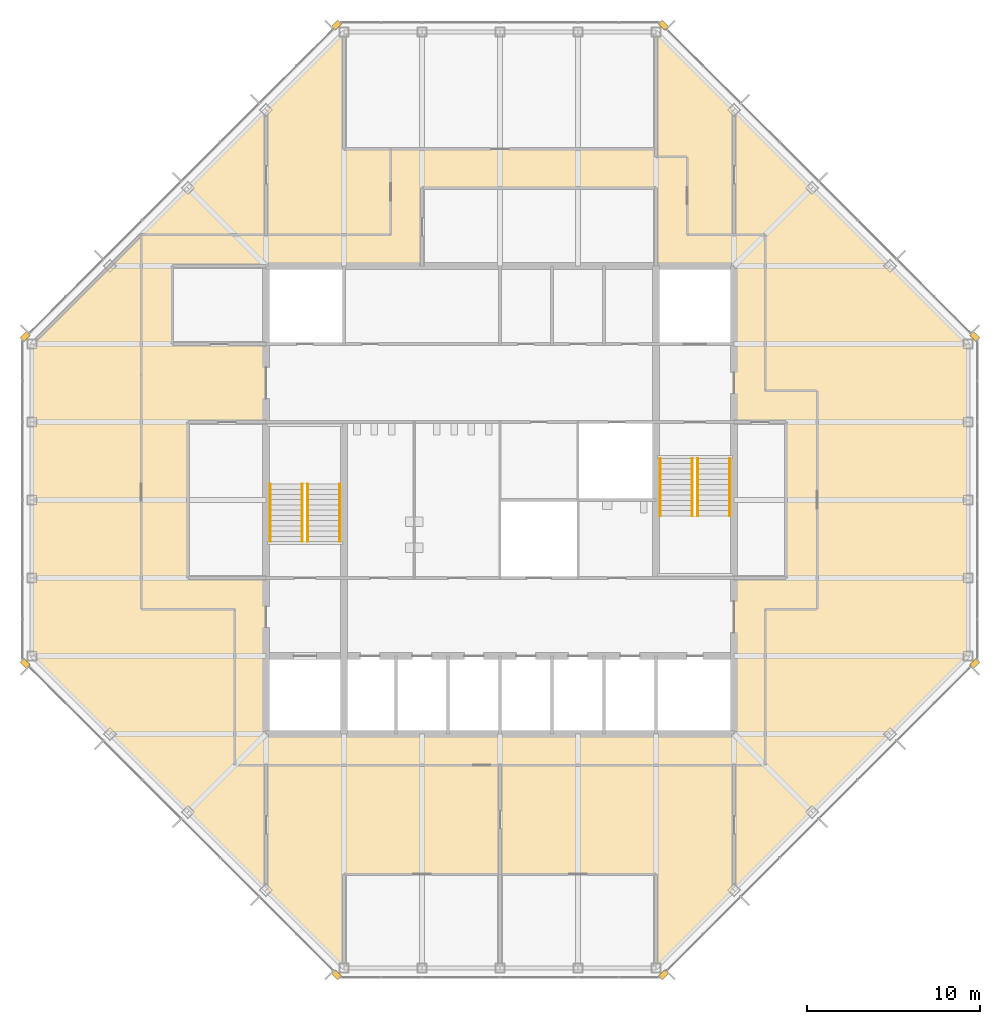
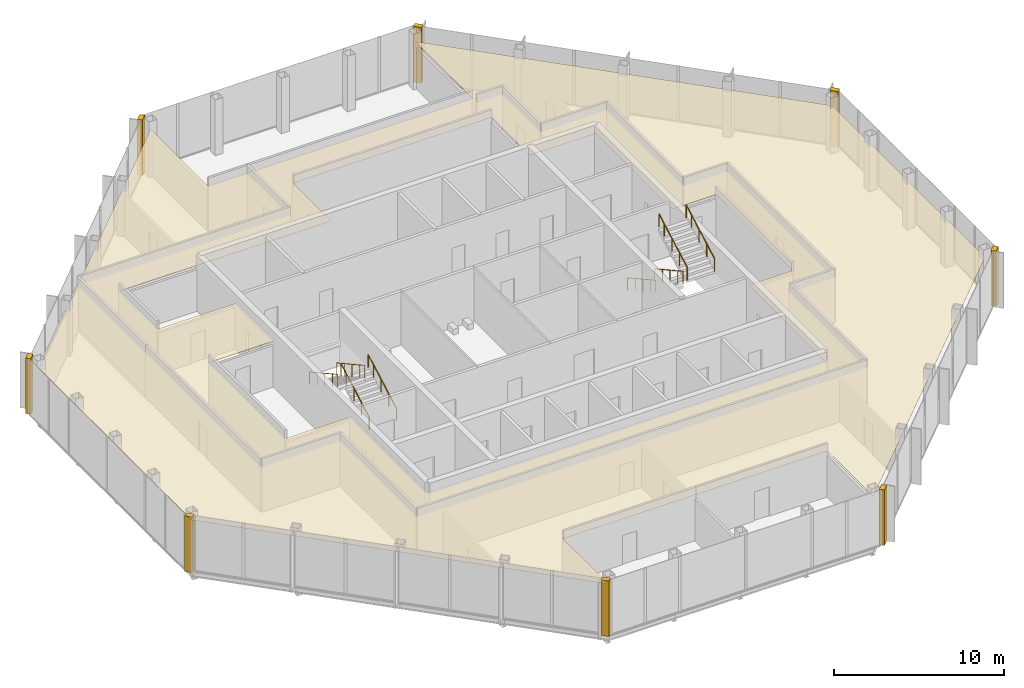
# One storey, part 12 of 13: 9 coverings, 8 railings.
"""IFC4 building model written with IfcOpenShell, lengths in metres."""

import ifcopenshell
import ifcopenshell.guid

model = None  # the IFC model being written
_history = None  # IfcOwnerHistory: only IFC2X3 demands one
_inside = {}  # id of a spatial element -> (the spatial element, [elements in it])
_under = {}  # id of a project, library or spatial element -> (it, [spatial elements below it])
_declared = {}  # id of a project -> (the project, [libraries it declares])
_typed = {}  # id of a type object -> (the type object, [elements of that type])
_made_of = {}  # id of a material, layer set ... -> (it, [elements and type objects made of it])


def new_model(schema):
    """Start an empty IFC model of exactly this schema.

    Asked for "IFC4X3", IfcOpenShell would pick the latest addendum, in which some entities
    have other attributes; the version numbers below select the first issue.
    IFC2X3 requires an IfcOwnerHistory on every rooted entity: one is made here for all.
    """
    global model, _history
    if schema == "IFC4X3":
        model = ifcopenshell.file(schema_version=(4, 3, 0, 0))
    else:
        model = ifcopenshell.file(schema=schema)
    _inside.clear()
    _under.clear()
    _declared.clear()
    _typed.clear()
    _made_of.clear()
    _history = None
    if model.schema == "IFC2X3":
        org = make("IfcOrganization", Name="unknown")
        user = make(
            "IfcPersonAndOrganization",
            ThePerson=make("IfcPerson", FamilyName="unknown"),
            TheOrganization=org,
        )
        app = make(
            "IfcApplication",
            ApplicationDeveloper=org,
            Version="unknown",
            ApplicationFullName="unknown",
            ApplicationIdentifier="unknown",
        )
        _history = make(
            "IfcOwnerHistory",
            OwningUser=user,
            OwningApplication=app,
            ChangeAction="ADDED",
            CreationDate=0,
        )
    return model


def make(cls, **values):
    """One entity of the class cls with the attributes given. An attribute that is None is left unset."""
    return model.create_entity(
        cls, **{name: value for name, value in values.items() if value is not None}
    )


def rooted(cls, **values):
    """An entity with a GlobalId (a new one), such as an element, a storey or a relation."""
    return make(cls, GlobalId=ifcopenshell.guid.new(), OwnerHistory=_history, **values)


def si_unit(unit_type, name, prefix=None):
    """IfcSIUnit, for example si_unit("LENGTHUNIT", "METRE", prefix="MILLI")."""
    return make("IfcSIUnit", UnitType=unit_type, Prefix=prefix, Name=name)


def assignment(units):
    """IfcUnitAssignment: the units of a project."""
    return None if units is None else make("IfcUnitAssignment", Units=units)


def point(xyz):
    """IfcCartesianPoint."""
    return None if xyz is None else make("IfcCartesianPoint", Coordinates=xyz)


def direction(xyz):
    """IfcDirection."""
    return None if xyz is None else make("IfcDirection", DirectionRatios=xyz)


def frame(location, z_axis=None, x_axis=None):
    """IfcAxis2Placement3D, a coordinate frame: its origin and axes. An axis left out is left unset."""
    return make(
        "IfcAxis2Placement3D",
        Location=point(location),
        Axis=direction(z_axis),
        RefDirection=direction(x_axis),
    )


def frame_2d(location, x_axis=None):
    """IfcAxis2Placement2D, a coordinate frame in the plane: its origin and x axis."""
    return make(
        "IfcAxis2Placement2D", Location=point(location), RefDirection=direction(x_axis)
    )


def origin():
    """The frame at (0, 0, 0) with its axes left unset."""
    return frame((0.0, 0.0, 0.0))


def origin_2d():
    """The frame at (0, 0) in the plane with its x axis left unset."""
    return frame_2d((0.0, 0.0))


def place(relative_to, where):
    """IfcLocalPlacement: puts the frame where relative to a parent placement (None: the world)."""
    return make(
        "IfcLocalPlacement", PlacementRelTo=relative_to, RelativePlacement=where
    )


def context(
    kind, dimensions, precision=None, world=None, true_north=None, identifier=None
):
    """IfcGeometricRepresentationContext, for example the 3D "Model" context."""
    return make(
        "IfcGeometricRepresentationContext",
        ContextIdentifier=identifier,
        ContextType=kind,
        CoordinateSpaceDimension=dimensions,
        Precision=precision,
        WorldCoordinateSystem=world,
        TrueNorth=true_north,
    )


def subcontext(parent, identifier, kind, view, scale=None):
    """IfcGeometricRepresentationSubContext, for example "Body" below "Model"."""
    return make(
        "IfcGeometricRepresentationSubContext",
        ContextIdentifier=identifier,
        ContextType=kind,
        ParentContext=parent,
        TargetScale=scale,
        TargetView=view,
    )


def project(units=None, contexts=None):
    """IfcProject with its units and contexts."""
    return rooted(
        "IfcProject",
        Name="project",
        RepresentationContexts=contexts,
        UnitsInContext=assignment(units),
    )


def spatial(cls, under=None, at=None, **own):
    """A site, building, storey or space (cls), placed at a placement, below another one or the project."""
    s = rooted(cls, ObjectPlacement=at, **own)
    if under is not None:
        _under.setdefault(under.id(), (under, []))[1].append(s)
    return s


def polyline(points):
    """IfcPolyline through the points."""
    return make("IfcPolyline", Points=[point(p) for p in points])


def profile(cls, at=None, kind="AREA", **sizes):
    """A parametric profile (cls). Its sizes go by their IFC names, for example OverallWidth=200.0."""
    return make(cls, ProfileType=kind, Position=at, **sizes)


def circle(**sizes):
    """IfcCircleProfileDef."""
    return profile("IfcCircleProfileDef", **sizes)


def outline(outer, holes=None, kind="AREA"):
    """IfcArbitraryClosedProfileDef: a profile drawn as a closed curve; with holes, ...WithVoids."""
    if holes is None:
        return make("IfcArbitraryClosedProfileDef", ProfileType=kind, OuterCurve=outer)
    return make(
        "IfcArbitraryProfileDefWithVoids",
        ProfileType=kind,
        OuterCurve=outer,
        InnerCurves=holes,
    )


def extrude(swept, where, along, depth):
    """IfcExtrudedAreaSolid: the profile swept, set in the frame where, extruded along a direction by depth."""
    return make(
        "IfcExtrudedAreaSolid",
        SweptArea=swept,
        Position=where,
        ExtrudedDirection=direction(along),
        Depth=depth,
    )


def shape(context_of_items, identifier, shape_type, items):
    """IfcShapeRepresentation: the items that make up one representation, for example the "Body"."""
    return make(
        "IfcShapeRepresentation",
        ContextOfItems=context_of_items,
        RepresentationIdentifier=identifier,
        RepresentationType=shape_type,
        Items=items,
    )


def material(Name=None, Category=None):
    """IfcMaterial."""
    return make("IfcMaterial", Name=Name, Category=Category)


def layer(
    of_material, thickness, ventilated=None, Name=None, Category=None, Priority=None
):
    """IfcMaterialLayer: one layer of a wall or slab, of a material (None: an air gap)."""
    return make(
        "IfcMaterialLayer",
        Material=of_material,
        LayerThickness=thickness,
        IsVentilated=ventilated,
        Name=Name,
        Category=Category,
        Priority=Priority,
    )


def layer_set(layers, Name=None):
    """IfcMaterialLayerSet."""
    return make("IfcMaterialLayerSet", MaterialLayers=layers, LayerSetName=Name)


def made_of(thing, what):
    """Note that an element or type object is made of a material, layer set ...; save() writes the relation."""
    if what is not None:
        _made_of.setdefault(what.id(), (what, []))[1].append(thing)
    return thing


def type_object(cls, material=None, **own):
    """A type object (cls), such as IfcWallType, which elements share."""
    return made_of(rooted(cls, **own), material)


def element(
    cls,
    number,
    at=None,
    inside=None,
    cuts=None,
    type_object=None,
    material=None,
    context=None,
    identifier="Body",
    shape_type=None,
    held_by="IfcProductDefinitionShape",
    body=None,
    shapes=None,
    **own,
):
    """One element of the class cls, such as IfcWall. Its Tag is "e" and its number.

    at: its placement. inside: the storey or other place that contains it. cuts: it is an
    opening in that element (IfcRelVoidsElement). A single representation is given by context,
    identifier, shape_type and body (its items); several are given by shapes. held_by: the class
    of the entity that holds the representations. save() writes the other relations.
    """
    e = rooted(cls, Tag="e%d" % number, ObjectPlacement=at, **own)
    if body is not None:
        shapes = [shape(context, identifier, shape_type, body)]
    if shapes is not None:
        e.Representation = make(held_by, Representations=shapes)
    if inside is not None:
        _inside.setdefault(inside.id(), (inside, []))[1].append(e)
    if cuts is not None:
        rooted(
            "IfcRelVoidsElement", RelatingBuildingElement=cuts, RelatedOpeningElement=e
        )
    if type_object is not None:
        _typed.setdefault(type_object.id(), (type_object, []))[1].append(e)
    return made_of(e, material)


def aggregate(whole, parts):
    """IfcRelAggregates: a whole, such as a stair, and the parts it consists of."""
    return rooted("IfcRelAggregates", RelatingObject=whole, RelatedObjects=parts)


def save(model, path):
    """Write the relations noted so far, then the file.

    IfcRelAggregates (storeys below a building ...), IfcRelContainedInSpatialStructure (elements
    in a storey), IfcRelDefinesByType, IfcRelAssociatesMaterial and IfcRelDeclares: one each for
    every whole, place, type object, material and project.
    """
    for whole, parts in _under.values():
        aggregate(whole, parts)
    for where, things in _inside.values():
        rooted(
            "IfcRelContainedInSpatialStructure",
            RelatedElements=things,
            RelatingStructure=where,
        )
    for kind, things in _typed.values():
        rooted("IfcRelDefinesByType", RelatedObjects=things, RelatingType=kind)
    for what, things in _made_of.values():
        rooted("IfcRelAssociatesMaterial", RelatedObjects=things, RelatingMaterial=what)
    for by, libraries in _declared.values():
        rooted("IfcRelDeclares", RelatingContext=by, RelatedDefinitions=libraries)
    model.write(path)


model = new_model("IFC4")

# Units and contexts
model_context = context("Model", 3, precision=1e-05, world=origin(), true_north=direction((0.0, 1.0)))
body_context = subcontext(model_context, "Body", "Model", "MODEL_VIEW")
ifc_project = project(units=[si_unit("LENGTHUNIT", "METRE"), si_unit("AREAUNIT", "SQUARE_METRE"), si_unit("VOLUMEUNIT", "CUBIC_METRE"), si_unit("PLANEANGLEUNIT", "RADIAN"), si_unit("MASSUNIT", "GRAM", prefix="KILO")], contexts=[model_context])

# Site, building, storey
site_placement = place(None, origin())
site = spatial("IfcSite", under=ifc_project, at=site_placement, CompositionType="ELEMENT")
building_placement = place(site_placement, origin())
building = spatial("IfcBuilding", under=site, at=building_placement, Name="Corais Broadcast Tower", CompositionType="ELEMENT")
storey_placement = place(building_placement, frame((0.0, 0.0, 302.60009765625)))
storey = spatial("IfcBuildingStorey", under=building, at=storey_placement, Name="L71", CompositionType="ELEMENT", Elevation=302.60009765625)

# Railings
ifc_material_1 = material(Name="Stainless steel handrail", Category="steel")
railing_type = type_object("IfcRailingType", Name="Handrail 920", PredefinedType="HANDRAIL", material=ifc_material_1)
for number, where, name in (
    (1, (17.75, 24.60009765625, 0.16650390625), "HR1 L71"),
    (2, (15.89990234375, 24.60009765625, 0.16650390625), "HR1 L71"),
):
    element("IfcRailing", number, at=place(storey_placement, frame(where)), inside=storey, type_object=railing_type, Name=name, PredefinedType="HANDRAIL", context=body_context, shape_type="SweptSolid", body=[
        extrude(circle(Radius=0.02392578125, at=origin_2d()), frame((0.0, 0.0, 0.89599609375), z_axis=(0.0, 0.875504475178, 0.483210010185), x_axis=(-1.0, 0.0, 0.0)), (0.0, 0.0, 1.0), 3.79443359375),
        extrude(circle(Radius=0.02099609375, at=origin_2d()), origin(), (0.0, 0.0, 1.0), 0.871826171875),
        extrude(circle(Radius=0.02099609375, at=origin_2d()), frame((0.0, 0.906005859375, 0.5)), (0.0, 0.0, 1.0), 0.871826171875),
        extrude(circle(Radius=0.02099609375, at=origin_2d()), frame((0.0, 1.81201171875, 1.0)), (0.0, 0.0, 1.0), 0.871826171875),
        extrude(circle(Radius=0.02099609375, at=origin_2d()), frame((0.0, 2.718017578125, 1.500244140625)), (0.0, 0.0, 1.0), 0.871826171875),
        extrude(circle(Radius=0.02099609375, at=origin_2d()), frame((0.0, 3.322021484375, 1.83349609375)), (0.0, 0.0, 1.0), 0.871826171875),
    ])
for number, where, name in (
    (3, (13.75, 27.922119140625, 2.16650390625), "HR1 L71"),
    (4, (15.60009765625, 27.922119140625, 2.16650390625), "HR1 L71"),
    (5, (36.25, 29.39990234375, 0.16650390625), "HR1 L71"),
    (6, (38.10009765625, 29.39990234375, 0.16650390625), "HR1 L71"),
):
    element("IfcRailing", number, at=place(storey_placement, frame(where)), inside=storey, type_object=railing_type, Name=name, PredefinedType="HANDRAIL", context=body_context, shape_type="SweptSolid", body=[
        extrude(circle(Radius=0.02392578125, at=origin_2d()), frame((0.0, 0.0, 0.89599609375), z_axis=(0.0, -0.875504475178, 0.483210010185), x_axis=(1.0, 0.0, 0.0)), (0.0, 0.0, 1.0), 3.79443359375),
        extrude(circle(Radius=0.02099609375, at=origin_2d()), origin(), (0.0, 0.0, 1.0), 0.871826171875),
        extrude(circle(Radius=0.02099609375, at=origin_2d()), frame((0.0, -0.906005859375, 0.5)), (0.0, 0.0, 1.0), 0.871826171875),
        extrude(circle(Radius=0.02099609375, at=origin_2d()), frame((0.0, -1.81201171875, 1.0)), (0.0, 0.0, 1.0), 0.871826171875),
        extrude(circle(Radius=0.02099609375, at=origin_2d()), frame((0.0, -2.718017578125, 1.500244140625)), (0.0, 0.0, 1.0), 0.871826171875),
        extrude(circle(Radius=0.02099609375, at=origin_2d()), frame((0.0, -3.322021484375, 1.83349609375)), (0.0, 0.0, 1.0), 0.871826171875),
    ])
for number, where, name in (
    (7, (40.25, 26.077880859375, 2.16650390625), "HR1 L71"),
    (8, (38.39990234375, 26.077880859375, 2.16650390625), "HR1 L71"),
):
    element("IfcRailing", number, at=place(storey_placement, frame(where)), inside=storey, type_object=railing_type, Name=name, PredefinedType="HANDRAIL", context=body_context, shape_type="SweptSolid", body=[
        extrude(circle(Radius=0.02392578125, at=origin_2d()), frame((0.0, 0.0, 0.89599609375), z_axis=(0.0, 0.875504475178, 0.483210010185), x_axis=(-1.0, 0.0, 0.0)), (0.0, 0.0, 1.0), 3.79443359375),
        extrude(circle(Radius=0.02099609375, at=origin_2d()), origin(), (0.0, 0.0, 1.0), 0.871826171875),
        extrude(circle(Radius=0.02099609375, at=origin_2d()), frame((0.0, 0.906005859375, 0.5)), (0.0, 0.0, 1.0), 0.871826171875),
        extrude(circle(Radius=0.02099609375, at=origin_2d()), frame((0.0, 1.81201171875, 1.0)), (0.0, 0.0, 1.0), 0.871826171875),
        extrude(circle(Radius=0.02099609375, at=origin_2d()), frame((0.0, 2.718017578125, 1.500244140625)), (0.0, 0.0, 1.0), 0.871826171875),
        extrude(circle(Radius=0.02099609375, at=origin_2d()), frame((0.0, 3.322021484375, 1.83349609375)), (0.0, 0.0, 1.0), 0.871826171875),
    ])

# Coverings
ifc_material_2 = material(Name="Granite stone cladding", Category="masonry")
ifc_layer_1 = layer(ifc_material_2, 0.324951171875)
ifc_layer_set_1 = layer_set([ifc_layer_1], Name="Granite stone cladding")
covering_type_1 = type_object("IfcCoveringType", Name="Stone corner pier cladding 500x325", PredefinedType="CLADDING", material=ifc_layer_set_1)
covering_1_placement = place(storey_placement, origin())
element("IfcCovering", 9, at=covering_1_placement, inside=storey, type_object=covering_type_1, Name="SP1 stone corner pier L71", PredefinedType="CLADDING", context=body_context, shape_type="SweptSolid", body=[
    extrude(outline(polyline([(17.860595703125, -0.461669921875), (17.507080078125, -0.108154296875), (17.277099609375, -0.337890625), (17.630859375, -0.69140625), (17.860595703125, -0.461669921875)])), origin(), (0.0, 0.0, 1.0), 4.0),
])
covering_2_placement = place(storey_placement, origin())
element("IfcCovering", 10, at=covering_2_placement, inside=storey, type_object=covering_type_1, Name="SP1 stone corner pier L71", PredefinedType="CLADDING", context=body_context, shape_type="SweptSolid", body=[
    extrude(outline(polyline([(-0.461669921875, 17.860595703125), (-0.69140625, 17.630859375), (-0.337890625, 17.277099609375), (-0.108154296875, 17.507080078125), (-0.461669921875, 17.860595703125)])), origin(), (0.0, 0.0, 1.0), 4.0),
])
covering_3_placement = place(storey_placement, origin())
element("IfcCovering", 11, at=covering_3_placement, inside=storey, type_object=covering_type_1, Name="SP1 stone corner pier L71", PredefinedType="CLADDING", context=body_context, shape_type="SweptSolid", body=[
    extrude(outline(polyline([(-0.461669921875, 36.139404296875), (-0.108154296875, 36.492919921875), (-0.337890625, 36.722900390625), (-0.69140625, 36.369140625), (-0.461669921875, 36.139404296875)])), origin(), (0.0, 0.0, 1.0), 4.0),
])
covering_4_placement = place(storey_placement, origin())
element("IfcCovering", 12, at=covering_4_placement, inside=storey, type_object=covering_type_1, Name="SP1 stone corner pier L71", PredefinedType="CLADDING", context=body_context, shape_type="SweptSolid", body=[
    extrude(outline(polyline([(17.860595703125, 54.461669921875), (17.630859375, 54.69140625), (17.277099609375, 54.337890625), (17.507080078125, 54.108154296875), (17.860595703125, 54.461669921875)])), origin(), (0.0, 0.0, 1.0), 4.0),
])
covering_5_placement = place(storey_placement, origin())
element("IfcCovering", 13, at=covering_5_placement, inside=storey, type_object=covering_type_1, Name="SP1 stone corner pier L71", PredefinedType="CLADDING", context=body_context, shape_type="SweptSolid", body=[
    extrude(outline(polyline([(36.139404296875, 54.461669921875), (36.492919921875, 54.108154296875), (36.722900390625, 54.337890625), (36.369140625, 54.69140625), (36.139404296875, 54.461669921875)])), origin(), (0.0, 0.0, 1.0), 4.0),
])
covering_6_placement = place(storey_placement, origin())
element("IfcCovering", 14, at=covering_6_placement, inside=storey, type_object=covering_type_1, Name="SP1 stone corner pier L71", PredefinedType="CLADDING", context=body_context, shape_type="SweptSolid", body=[
    extrude(outline(polyline([(54.461669921875, 36.139404296875), (54.69140625, 36.369140625), (54.337890625, 36.722900390625), (54.108154296875, 36.492919921875), (54.461669921875, 36.139404296875)])), origin(), (0.0, 0.0, 1.0), 4.0),
])
covering_7_placement = place(storey_placement, origin())
element("IfcCovering", 15, at=covering_7_placement, inside=storey, type_object=covering_type_1, Name="SP1 stone corner pier L71", PredefinedType="CLADDING", context=body_context, shape_type="SweptSolid", body=[
    extrude(outline(polyline([(54.461669921875, 17.860595703125), (54.108154296875, 17.507080078125), (54.337890625, 17.277099609375), (54.69140625, 17.630859375), (54.461669921875, 17.860595703125)])), origin(), (0.0, 0.0, 1.0), 4.0),
])
covering_8_placement = place(storey_placement, origin())
element("IfcCovering", 16, at=covering_8_placement, inside=storey, type_object=covering_type_1, Name="SP1 stone corner pier L71", PredefinedType="CLADDING", context=body_context, shape_type="SweptSolid", body=[
    extrude(outline(polyline([(36.139404296875, -0.461669921875), (36.369140625, -0.69140625), (36.722900390625, -0.337890625), (36.492919921875, -0.108154296875), (36.139404296875, -0.461669921875)])), origin(), (0.0, 0.0, 1.0), 4.0),
])
ifc_material_3 = material(Name="Mineral fibre ceiling tile", Category="mineral")
ifc_layer_2 = layer(ifc_material_3, 0.02001953125)
ifc_layer_set_2 = layer_set([ifc_layer_2], Name="Mineral fibre ceiling tile")
covering_type_2 = type_object("IfcCoveringType", Name="Suspended ceiling", PredefinedType="CEILING", material=ifc_layer_set_2)
covering_9_placement = place(storey_placement, frame((0.0, 0.0, 3.219970703125)))
element("IfcCovering", 17, at=covering_9_placement, inside=storey, type_object=covering_type_2, Name="CE1 ceiling L71", PredefinedType="CEILING", context=body_context, shape_type="SweptSolid", body=[
    extrude(outline(polyline([(6.300048828125, 42.300048828125), (6.3017578125, 42.3017578125), (13.5, 49.5), (18.0, 54.0), (18.0, 47.25), (36.0, 47.25), (36.0, 54.0), (54.0, 36.0), (54.0, 18.0), (40.500244140625, 4.500244140625), (40.498779296875, 4.498779296875), (40.498291015625, 4.498291015625), (36.0, 0.0), (36.0, 5.39990234375), (18.0, 5.39990234375), (18.0, 0.0), (13.501708984375, 4.498291015625), (13.499755859375, 4.500244140625), (0.0, 18.0), (0.0, 36.0), (6.300048828125, 42.300048828125)]), holes=[polyline([(43.5, 31.5), (40.5, 31.5), (40.5, 40.5), (36.0, 40.5), (36.0, 45.0), (22.5, 45.0), (22.5, 40.5), (8.10009765625, 40.5), (8.10009765625, 36.0), (13.5, 36.0), (13.5, 31.5), (9.0, 31.5), (9.0, 22.5), (13.5, 22.5), (13.5, 13.5), (40.5, 13.5), (40.5, 22.5), (43.5, 22.5), (43.5, 31.5)])]), origin(), (0.0, 0.0, 1.0), 0.02001953125),
])

save(model, "model.ifc")
